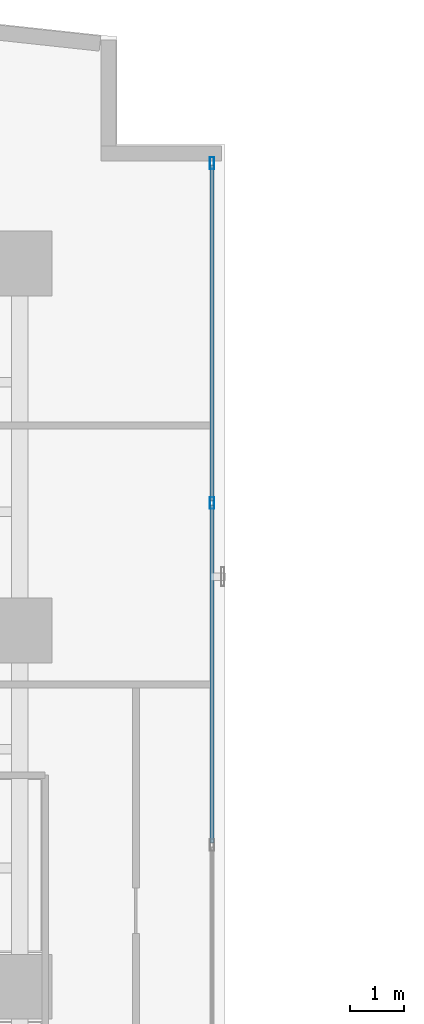
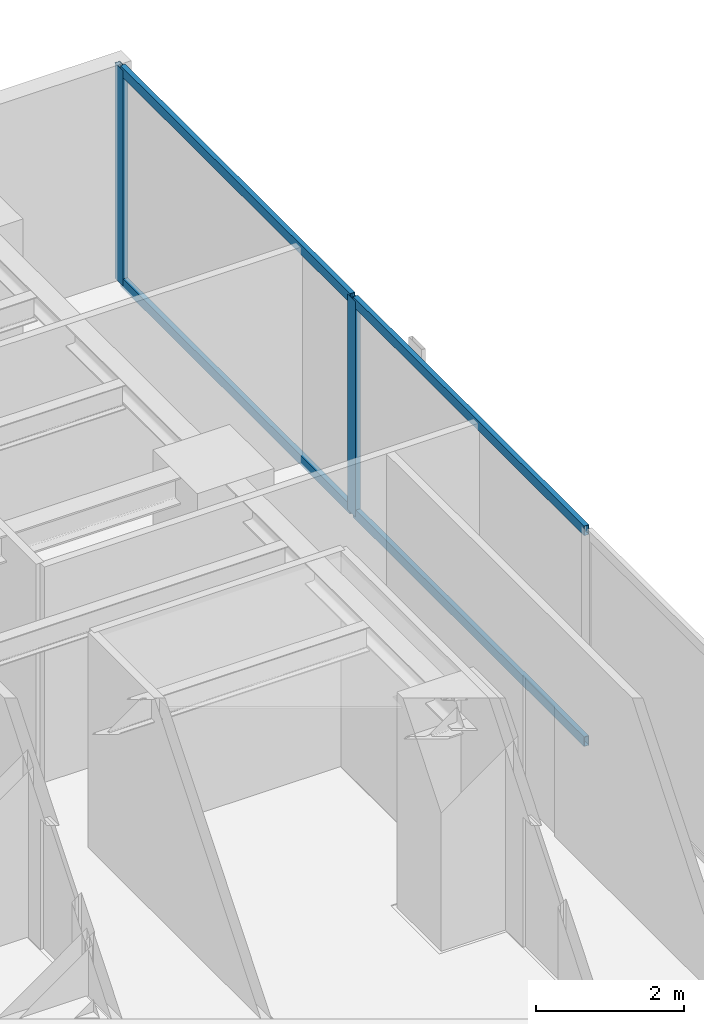
# One storey, part 17 of 24: 6 members, 1 element without a shape of its own.
"""IFC4 building model written with IfcOpenShell, lengths in metres."""

from ifc_helpers import new_model, si_unit, direction, frame, origin, origin_with_axes, origin_2d, place, context, subcontext, project, spatial, hollow_rectangle, extrude, source, transform, mapped, material, layer, layer_set, material_profile, profile_set, type_object, element, aggregate, save


model = new_model("IFC4")

# Units and contexts
model_context = context("Model", 3, precision=1e-05, world=origin(), true_north=direction((0.0, 1.0)))
body_context = subcontext(model_context, "Body", "Model", "MODEL_VIEW")
ifc_project = project(units=[si_unit("LENGTHUNIT", "METRE"), si_unit("AREAUNIT", "SQUARE_METRE"), si_unit("VOLUMEUNIT", "CUBIC_METRE"), si_unit("PLANEANGLEUNIT", "RADIAN"), si_unit("MASSUNIT", "GRAM", prefix="KILO")], contexts=[model_context])

# Site, building, storey
site_placement = place(None, origin())
site = spatial("IfcSite", under=ifc_project, at=site_placement, CompositionType="ELEMENT")
building_placement = place(site_placement, origin())
building = spatial("IfcBuilding", under=site, at=building_placement, Name="Kolvaren Waterfront Exchange", CompositionType="ELEMENT")
storey_placement = place(building_placement, frame((0.0, 0.0, 153.800048828125)))
storey = spatial("IfcBuildingStorey", under=building, at=storey_placement, Name="L39", CompositionType="ELEMENT", Elevation=153.800048828125)

# Curtain wall, members
ifc_material_1 = material(Name="Anodised bronze aluminium 6063-T6", Category="aluminium")
ifc_layer = layer(ifc_material_1, 0.219970703125, Name="Anodised bronze aluminium 6063-T6")
ifc_layer_set = layer_set([ifc_layer], Name="Anodised bronze aluminium 6063-T6")
curtain_wall_type = type_object("IfcCurtainWallType", Name="ARC-CW-SYS1", PredefinedType="USERDEFINED", material=ifc_layer_set)
curtain_wall_placement = place(storey_placement, origin())
curtain_wall = element("IfcCurtainWall", 1, at=curtain_wall_placement, inside=storey, type_object=curtain_wall_type, Name="L39 stick curtain wall CW1 (CW-L39-NE)", ObjectType="STICK CURTAIN WALL", PredefinedType="USERDEFINED")
ifc_material_2 = material(Name="Anodised aluminium 6063-T6", Category="aluminium")
ifc_material_profile_1 = material_profile(ifc_material_2, hollow_rectangle(XDim=0.080078125, YDim=0.219970703125, WallThickness=0.0048828125, at=origin_2d()), Name="ALU-MUL-220x80x5")
ifc_profile_set_1 = profile_set([ifc_material_profile_1], Name="Anodised aluminium 6063-T6")
member_type_1 = type_object("IfcMemberType", Name="ARC-CWM-220", PredefinedType="MULLION", material=ifc_profile_set_1)
shared_shape_1 = source(origin_with_axes(), body_context, "Body", "SweptSolid", [
    extrude(hollow_rectangle(XDim=0.080078125, YDim=0.219970703125, WallThickness=0.0048828125, at=origin_2d()), origin(), (0.0, 0.0, 1.0), 3.56005859375),
])
member_1_placement = place(storey_placement, frame((22.360107421875, 40.163330078125, 0.0), z_axis=(0.0, 0.0, 1.0), x_axis=(-1.0, 0.0, 0.0)))
member_1 = element("IfcMember", 2, at=member_1_placement, type_object=member_type_1, Name="CW1 mullion 3", PredefinedType="MULLION", context=body_context, shape_type="MappedRepresentation", body=[
    mapped(shared_shape_1, transform((0.0, 0.0, 0.0), x_axis=(1.0, 0.0, 0.0), y_axis=(0.0, 1.0, 0.0), z_axis=(0.0, 0.0, 1.0), scale=1.0)),
])
member_2_placement = place(storey_placement, frame((22.360107421875, 46.4599609375, 0.0), z_axis=(0.0, 0.0, 1.0), x_axis=(-1.0, 0.0, 0.0)))
member_2 = element("IfcMember", 3, at=member_2_placement, type_object=member_type_1, Name="CW1 mullion 4", PredefinedType="MULLION", context=body_context, shape_type="MappedRepresentation", body=[
    mapped(shared_shape_1, transform((0.0, 0.0, 0.0), x_axis=(1.0, 0.0, 0.0), y_axis=(0.0, 1.0, 0.0), z_axis=(0.0, 0.0, 1.0), scale=1.0)),
])
ifc_material_profile_2 = material_profile(ifc_material_2, hollow_rectangle(XDim=0.074951171875, YDim=0.159912109375, WallThickness=0.00439453125, at=origin_2d()), Name="ALU-TRN-160x75x4.5")
ifc_profile_set_2 = profile_set([ifc_material_profile_2], Name="Anodised aluminium 6063-T6")
member_type_2 = type_object("IfcMemberType", Name="ARC-CWT-160", PredefinedType="USERDEFINED", material=ifc_profile_set_2)
shared_shape_2 = source(origin_with_axes(), body_context, "Body", "SweptSolid", [
    extrude(hollow_rectangle(XDim=0.074951171875, YDim=0.159912109375, WallThickness=0.00439453125, at=origin_2d()), origin(), (0.0, 0.0, 1.0), 6.216552734375),
])
member_3_placement = place(storey_placement, frame((22.360107421875, 40.203369140625, 0.037353515625), z_axis=(0.0, 1.0, 0.0), x_axis=(-1.0, 0.0, 0.0)))
member_3 = element("IfcMember", 4, at=member_3_placement, type_object=member_type_2, Name="CW1 transom 3.1", ObjectType="TRANSOM", PredefinedType="USERDEFINED", context=body_context, shape_type="MappedRepresentation", body=[
    mapped(shared_shape_2, transform((0.0, 0.0, 0.0), x_axis=(1.0, 0.0, 0.0), y_axis=(0.0, 1.0, 0.0), z_axis=(0.0, 0.0, 1.0), scale=1.0)),
])
member_4_placement = place(storey_placement, frame((22.360107421875, 40.203369140625, 3.5224609375), z_axis=(0.0, 1.0, 0.0), x_axis=(-1.0, 0.0, 0.0)))
member_4 = element("IfcMember", 5, at=member_4_placement, type_object=member_type_2, Name="CW1 transom 3.2", ObjectType="TRANSOM", PredefinedType="USERDEFINED", context=body_context, shape_type="MappedRepresentation", body=[
    mapped(shared_shape_2, transform((0.0, 0.0, 0.0), x_axis=(1.0, 0.0, 0.0), y_axis=(0.0, 1.0, 0.0), z_axis=(0.0, 0.0, 1.0), scale=1.0)),
])
shared_shape_3 = source(origin_with_axes(), body_context, "Body", "SweptSolid", [
    extrude(hollow_rectangle(XDim=0.074951171875, YDim=0.159912109375, WallThickness=0.00439453125, at=origin_2d()), origin(), (0.0, 0.0, 1.0), 6.256591796875),
])
member_5_placement = place(storey_placement, frame((22.360107421875, 33.86669921875, 0.037353515625), z_axis=(0.0, 1.0, 0.0), x_axis=(-1.0, 0.0, 0.0)))
member_5 = element("IfcMember", 6, at=member_5_placement, type_object=member_type_2, Name="CW1 transom 2.1", ObjectType="TRANSOM", PredefinedType="USERDEFINED", context=body_context, shape_type="MappedRepresentation", body=[
    mapped(shared_shape_3, transform((0.0, 0.0, 0.0), x_axis=(1.0, 0.0, 0.0), y_axis=(0.0, 1.0, 0.0), z_axis=(0.0, 0.0, 1.0), scale=1.0)),
])
member_6_placement = place(storey_placement, frame((22.360107421875, 33.86669921875, 3.5224609375), z_axis=(0.0, 1.0, 0.0), x_axis=(-1.0, 0.0, 0.0)))
member_6 = element("IfcMember", 7, at=member_6_placement, type_object=member_type_2, Name="CW1 transom 2.2", ObjectType="TRANSOM", PredefinedType="USERDEFINED", context=body_context, shape_type="MappedRepresentation", body=[
    mapped(shared_shape_3, transform((0.0, 0.0, 0.0), x_axis=(1.0, 0.0, 0.0), y_axis=(0.0, 1.0, 0.0), z_axis=(0.0, 0.0, 1.0), scale=1.0)),
])
aggregate(curtain_wall, [member_1, member_2, member_5, member_6, member_3, member_4])

save(model, "model.ifc")
